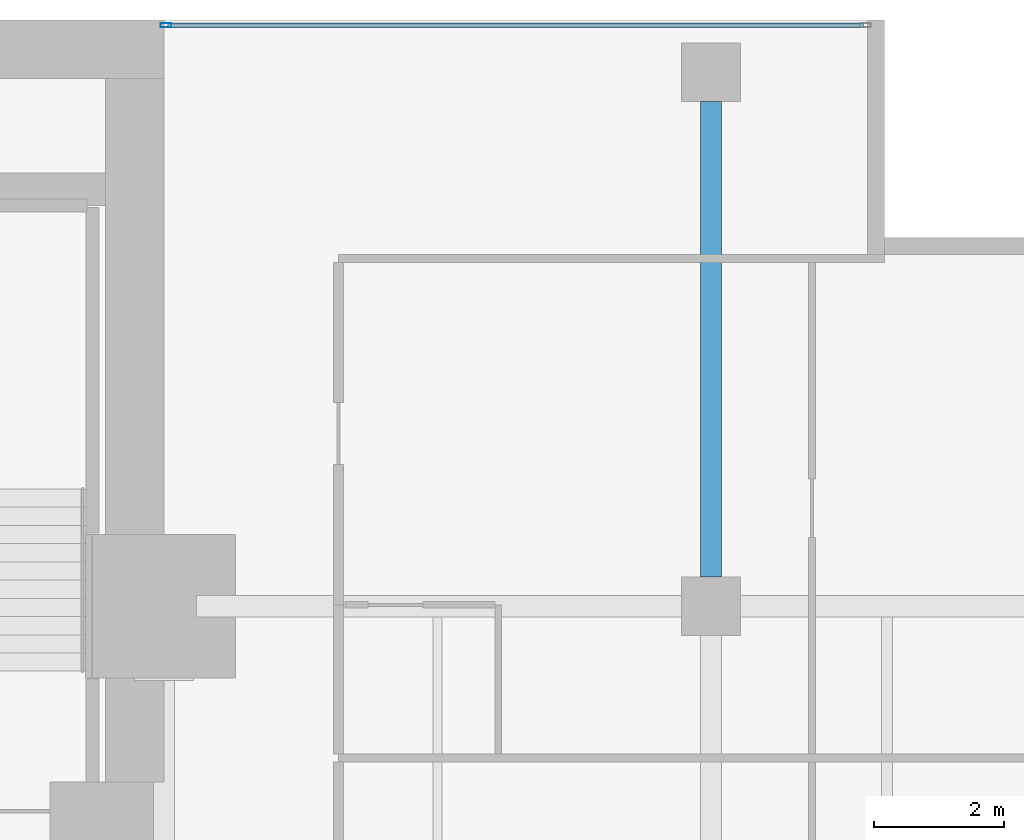
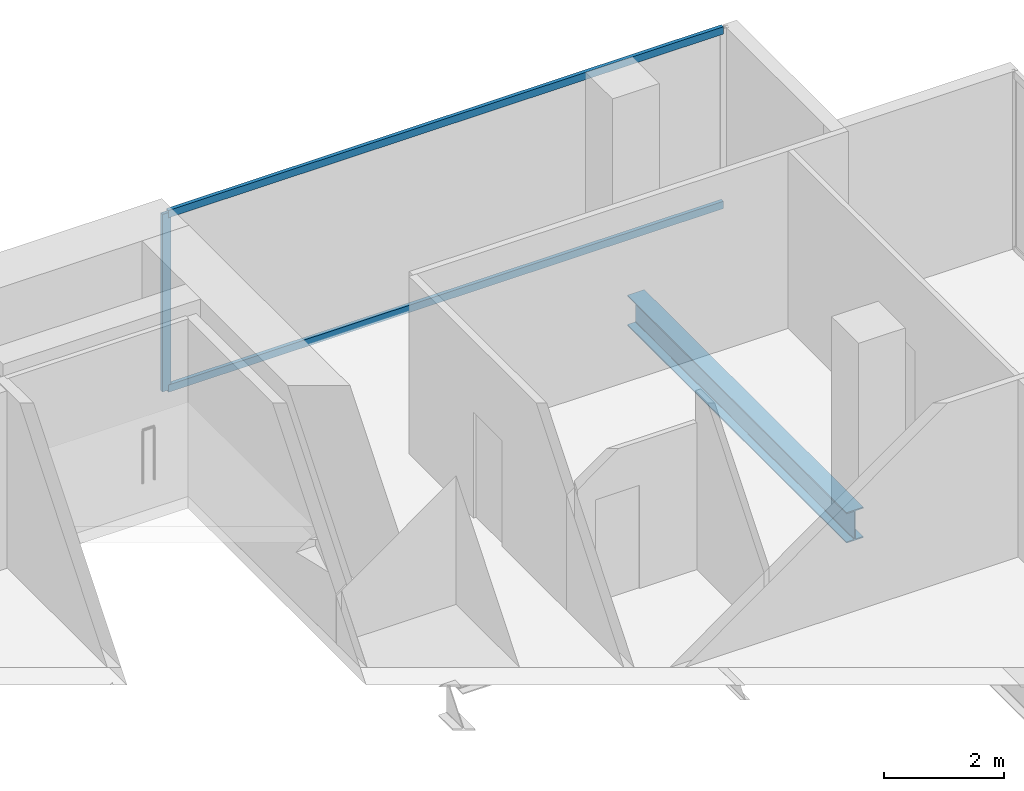
# One storey, part 30 of 40: 3 members, 1 beam, 1 element without a shape of its own.
"""IFC4 building model written with IfcOpenShell, lengths in metres."""

from ifc_helpers import new_model, si_unit, direction, frame, origin, origin_2d, place, context, subcontext, project, spatial, hollow_rectangle, i_section, extrude, material, layer, layer_set, material_profile, profile_set, type_object, element, aggregate, save


model = new_model("IFC4")

# Units and contexts
model_context = context("Model", 3, precision=1e-05, world=origin(), true_north=direction((0.0, 1.0)))
body_context = subcontext(model_context, "Body", "Model", "MODEL_VIEW")
ifc_project = project(units=[si_unit("LENGTHUNIT", "METRE"), si_unit("AREAUNIT", "SQUARE_METRE"), si_unit("VOLUMEUNIT", "CUBIC_METRE"), si_unit("PLANEANGLEUNIT", "RADIAN"), si_unit("MASSUNIT", "GRAM", prefix="KILO")], contexts=[model_context])

# Site, building, storey
site_placement = place(None, origin())
site = spatial("IfcSite", under=ifc_project, at=site_placement, CompositionType="ELEMENT")
building_placement = place(site_placement, origin())
building = spatial("IfcBuilding", under=site, at=building_placement, Name="Maruvema Waterfront Hotel and Observation Tower", CompositionType="ELEMENT")
storey_placement = place(building_placement, frame((0.0, 0.0, 38.5)))
storey = spatial("IfcBuildingStorey", under=building, at=storey_placement, Name="L08", CompositionType="ELEMENT", Elevation=38.5)

# Curtain wall, members
ifc_material_1 = material(Name="Anodised bronze aluminium and solar-control low-E IGU", Category="aluminium")
ifc_layer = layer(ifc_material_1, 0.159912109375, Name="Zone 1 Bronze Inner Thermal Curtain Wall System CW-02")
ifc_layer_set = layer_set([ifc_layer], Name="Anodised bronze aluminium and solar-control low-E IGU")
curtain_wall_type = type_object("IfcCurtainWallType", Name="Zone 1 Bronze Inner Thermal Curtain Wall System CW-02", PredefinedType="USERDEFINED", material=ifc_layer_set)
curtain_wall_placement = place(storey_placement, origin())
curtain_wall = element("IfcCurtainWall", 1, at=curtain_wall_placement, inside=storey, type_object=curtain_wall_type, Name="L08 Curtain Wall CW-L08-NE", ObjectType="UNITISED CURTAIN WALL", PredefinedType="USERDEFINED")
ifc_material_2 = material(Name="Anodised architectural bronze aluminium", Category="aluminium")
ifc_material_profile_1 = material_profile(ifc_material_2, hollow_rectangle(XDim=0.070068359375, YDim=0.14990234375, WallThickness=0.00390625, at=origin_2d()), Name="ALU-T70x150")
ifc_profile_set_1 = profile_set([ifc_material_profile_1], Name="Anodised architectural bronze aluminium")
member_type_1 = type_object("IfcMemberType", Name="Curtain Wall Horizontal Transom ALU-T70x150", PredefinedType="USERDEFINED", material=ifc_profile_set_1)
member_1_placement = place(storey_placement, frame((61.139892578125, 53.919921875, 0.030029296875), z_axis=(-1.0, 0.0, 0.0), x_axis=(0.0, -1.0, 0.0)))
member_1 = element("IfcMember", 2, at=member_1_placement, type_object=member_type_1, Name="CW-02 transom 1.1", ObjectType="TRANSOM", PredefinedType="USERDEFINED", context=body_context, shape_type="SweptSolid", body=[
    extrude(hollow_rectangle(XDim=0.070068359375, YDim=0.14990234375, WallThickness=0.00390625, at=origin_2d()), origin(), (0.0, 0.0, 1.0), 10.679931640625),
])
member_2_placement = place(storey_placement, frame((61.139892578125, 53.919921875, 3.580078125), z_axis=(-1.0, 0.0, 0.0), x_axis=(0.0, -1.0, 0.0)))
member_2 = element("IfcMember", 3, at=member_2_placement, type_object=member_type_1, Name="CW-02 transom 1.2", ObjectType="TRANSOM", PredefinedType="USERDEFINED", context=body_context, shape_type="SweptSolid", body=[
    extrude(hollow_rectangle(XDim=0.070068359375, YDim=0.14990234375, WallThickness=0.00390625, at=origin_2d()), origin(), (0.0, 0.0, 1.0), 10.679931640625),
])
ifc_material_3 = material(Name="Anodised architectural bronze aluminium", Category="aluminium")
ifc_material_profile_2 = material_profile(ifc_material_3, hollow_rectangle(XDim=0.06494140625, YDim=0.1650390625, WallThickness=0.00390625, at=origin_2d()), Name="ALU-M65x165")
ifc_profile_set_2 = profile_set([ifc_material_profile_2], Name="Anodised architectural bronze aluminium")
member_type_2 = type_object("IfcMemberType", Name="Curtain Wall Primary Mullion ALU-M65x165", PredefinedType="MULLION", material=ifc_profile_set_2)
member_3_placement = place(storey_placement, frame((50.429931640625, 53.919921875, 0.0), z_axis=(0.0, 0.0, 1.0), x_axis=(0.0, -1.0, 0.0)))
member_3 = element("IfcMember", 4, at=member_3_placement, type_object=member_type_2, Name="CW-02 mullion 2", PredefinedType="MULLION", context=body_context, shape_type="SweptSolid", body=[
    extrude(hollow_rectangle(XDim=0.06494140625, YDim=0.1650390625, WallThickness=0.00390625, at=origin_2d()), origin(), (0.0, 0.0, 1.0), 3.610107421875),
])
aggregate(curtain_wall, [member_3, member_1, member_2])

# Beam
ifc_material_4 = material(Name="Steel ASTM A572 Grade 50", Category="steel")
ifc_material_profile_3 = material_profile(ifc_material_4, i_section(OverallWidth=0.326904296875, OverallDepth=0.6220703125, WebThickness=0.015380859375, FlangeThickness=0.0244140625, FilletRadius=0.01806640625, at=origin_2d()), Name="W610x195.0")
ifc_profile_set_3 = profile_set([ifc_material_profile_3], Name="Steel ASTM A572 Grade 50")
beam_type = type_object("IfcBeamType", Name="Primary Floor Girder W610x195.0", PredefinedType="BEAM", material=ifc_profile_set_3)
beam_placement = place(storey_placement, frame((58.800048828125, 45.449951171875, -0.551025390625), z_axis=(0.0, 1.0, 0.0), x_axis=(-1.0, 0.0, 0.0)))
element("IfcBeam", 5, at=beam_placement, inside=storey, type_object=beam_type, Name="L08 Floor Girder NS-32", PredefinedType="BEAM", context=body_context, shape_type="SweptSolid", body=[
    extrude(i_section(OverallWidth=0.326904296875, OverallDepth=0.6220703125, WebThickness=0.015380859375, FlangeThickness=0.0244140625, FilletRadius=0.01806640625, at=origin_2d()), origin(), (0.0, 0.0, 1.0), 7.300048828125),
])

save(model, "model.ifc")
